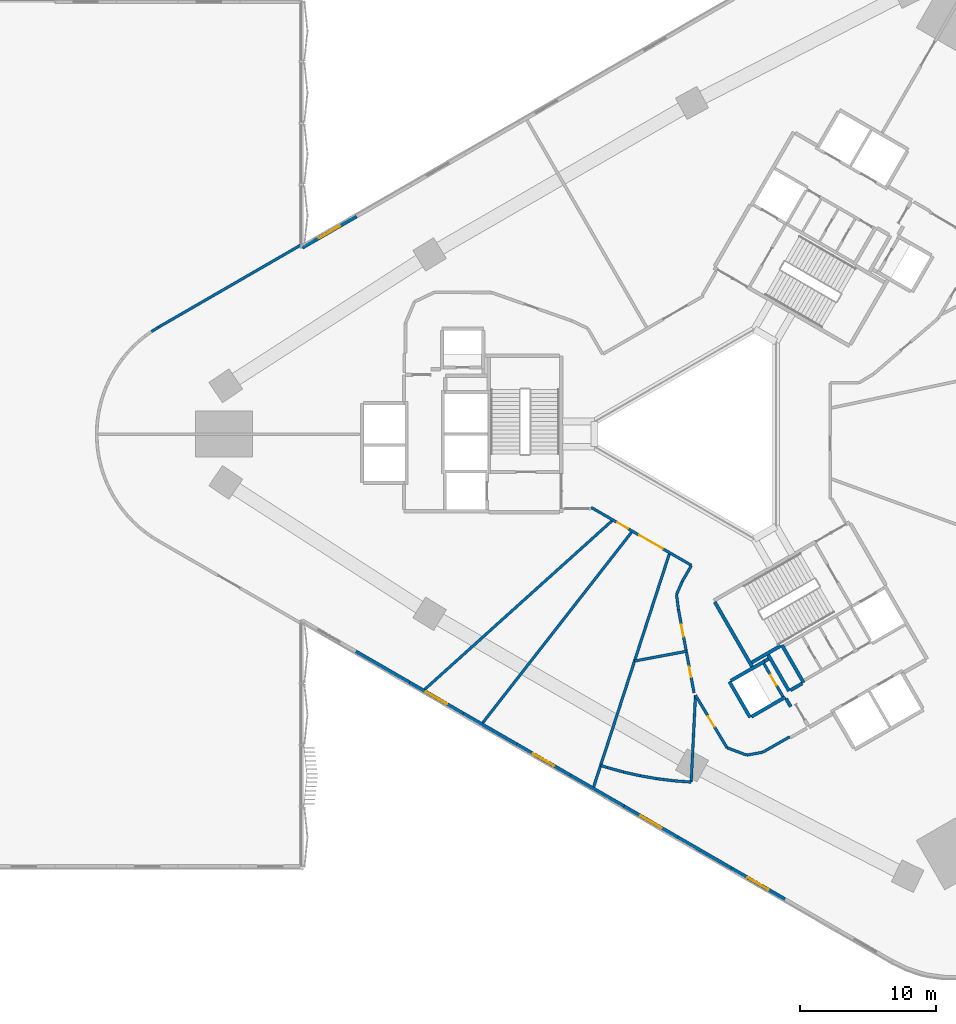
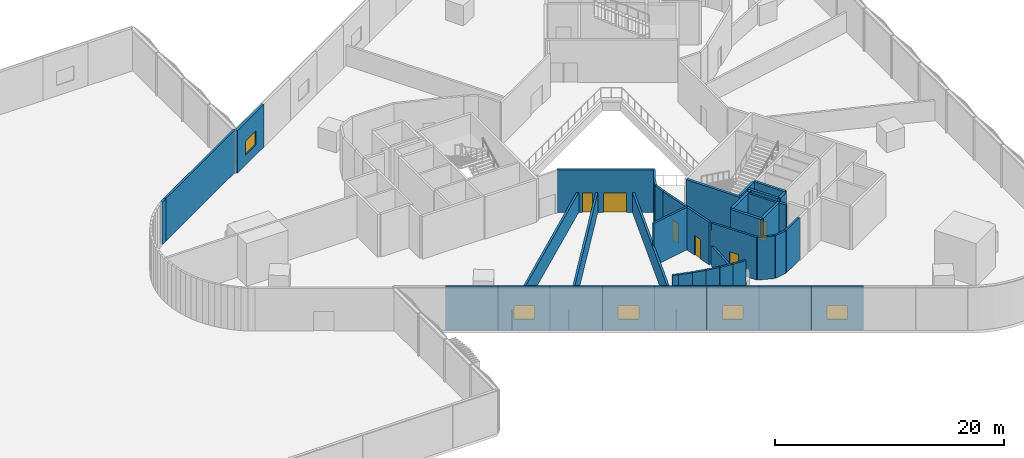
# One storey, part 12 of 24: 42 walls, 6 doors, 5 windows, 11 openings.
"""IFC4 building model written with IfcOpenShell, lengths in metres."""

from ifc_helpers import new_model, si_unit, direction, frame, frame_2d, origin, place, context, subcontext, project, spatial, rectangle, extrude, material, layer, layer_set, type_object, element, fill, save


model = new_model("IFC4")

# Units and contexts
model_context = context("Model", 3, precision=1e-05, world=origin(), true_north=direction((0.0, 1.0)))
body_context = subcontext(model_context, "Body", "Model", "MODEL_VIEW")
ifc_project = project(units=[si_unit("LENGTHUNIT", "METRE"), si_unit("AREAUNIT", "SQUARE_METRE"), si_unit("VOLUMEUNIT", "CUBIC_METRE"), si_unit("PLANEANGLEUNIT", "RADIAN"), si_unit("MASSUNIT", "GRAM", prefix="KILO")], contexts=[model_context])

# Site, building, storey
site_placement = place(None, origin())
site = spatial("IfcSite", under=ifc_project, at=site_placement, CompositionType="ELEMENT")
building_placement = place(site_placement, origin())
building = spatial("IfcBuilding", under=site, at=building_placement, Name="Tamra Quay Hotel Tower", CompositionType="ELEMENT")
storey_placement = place(building_placement, frame((0.0, 0.0, 19.5)))
storey = spatial("IfcBuildingStorey", under=building, at=storey_placement, Name="L03", CompositionType="ELEMENT", Elevation=19.5)

# Wall, opening, door
ifc_material_1 = material(Name="Concrete M70", Category="concrete")
ifc_layer_1 = layer(ifc_material_1, 0.199951171875)
ifc_layer_set_1 = layer_set([ifc_layer_1], Name="Concrete M70 core wall 200")
wall_type_1 = type_object("IfcWallType", Name="Concrete M70 core wall 200", PredefinedType="SHEAR", material=ifc_layer_set_1)
wall_1_placement = place(storey_placement, frame((5.50341796875, -19.352294921875, 0.0), z_axis=(0.0, 0.0, 1.0), x_axis=(-0.499986818241, 0.866033014143, 0.0)))
wall_1 = element("IfcWall", 1, at=wall_1_placement, inside=storey, type_object=wall_type_1, Name="CW2", PredefinedType="SHEAR", context=body_context, shape_type="SweptSolid", body=[
    extrude(rectangle(XDim=2.7978515625, YDim=0.199951171875, at=frame_2d((1.39892578125, 0.0))), origin(), (0.0, 0.0, 1.0), 4.550048828125),
])
opening_1_placement = place(wall_1_placement, frame((0.948974609375, 0.0, 0.0)))
opening_1 = element("IfcOpeningElement", 2, at=opening_1_placement, cuts=wall_1, Name="Opening D1", PredefinedType="OPENING", context=body_context, shape_type="SweptSolid", body=[
    extrude(rectangle(XDim=0.89990234375, YDim=2.10009765625, at=frame_2d((0.449951171875, 1.050048828125))), frame((0.0, 0.10986328125, 0.0), z_axis=(0.0, -1.0, 0.0), x_axis=(1.0, 0.0, 0.0)), (0.0, 0.0, 1.0), 0.219970703125),
])
ifc_material_2 = material(Name="Core door D1 900x2100 RH")
door_type_1 = type_object("IfcDoorType", Name="Core door D1 900x2100 RH", OperationType="NOTDEFINED", PredefinedType="DOOR", material=ifc_material_2)
door_1_placement = place(opening_1_placement, origin())
door_1 = element("IfcDoor", 3, at=door_1_placement, inside=storey, type_object=door_type_1, Name="D1", OperationType="SINGLE_SWING_RIGHT", OverallHeight=2.10009765625, OverallWidth=0.89990234375, PredefinedType="DOOR", context=body_context, shape_type="SweptSolid", body=[
    extrude(rectangle(XDim=0.89990234375, YDim=2.10009765625, at=frame_2d((0.449951171875, 1.050048828125))), frame((0.0, 0.02490234375, 0.0), z_axis=(0.0, -1.0, 0.0), x_axis=(1.0, 0.0, 0.0)), (0.0, 0.0, 1.0), 0.050048828125),
])
fill(opening_1, door_1)

# Walls
ifc_layer_2 = layer(ifc_material_1, 0.25)
ifc_layer_set_2 = layer_set([ifc_layer_2], Name="Concrete M70 core wall 250")
wall_type_2 = type_object("IfcWallType", Name="Concrete M70 core wall 250", PredefinedType="SHEAR", material=ifc_layer_set_2)
wall_2_placement = place(storey_placement, frame((3.23486328125, -17.15283203125, 0.0), z_axis=(0.0, 0.0, 1.0), x_axis=(-0.500008851346, 0.866020293397, 0.0)))
element("IfcWall", 4, at=wall_2_placement, inside=storey, type_object=wall_type_2, Name="CW1", PredefinedType="SHEAR", context=body_context, shape_type="SweptSolid", body=[
    extrude(rectangle(XDim=5.509765625, YDim=0.25, at=frame_2d((2.7548828125, 0.0))), origin(), (0.0, 0.0, 1.0), 4.550048828125),
])
wall_3_placement = place(storey_placement, frame((7.030517578125, -18.327392578125, 0.0), z_axis=(0.0, 0.0, 1.0), x_axis=(-0.499971222258, 0.866042017984, 0.0)))
element("IfcWall", 5, at=wall_3_placement, inside=storey, type_object=wall_type_2, Name="CW1", PredefinedType="SHEAR", context=body_context, shape_type="SweptSolid", body=[
    extrude(rectangle(XDim=3.199951171875, YDim=0.25, at=frame_2d((1.60009765625, 0.0))), origin(), (0.0, 0.0, 1.0), 4.550048828125),
])
wall_4_placement = place(storey_placement, frame((3.085205078125, -20.893798828125, 0.0), z_axis=(0.0, 0.0, 1.0), x_axis=(-0.499978833458, 0.866037623948, 0.0)))
element("IfcWall", 6, at=wall_4_placement, inside=storey, type_object=wall_type_2, Name="CW1", PredefinedType="SHEAR", context=body_context, shape_type="SweptSolid", body=[
    extrude(rectangle(XDim=3.050048828125, YDim=0.25, at=frame_2d((1.52490234375, 0.0))), origin(), (0.0, 0.0, 1.0), 4.550048828125),
])
wall_5_placement = place(storey_placement, frame((1.6689453125, -18.189697265625, 0.0), z_axis=(0.0, 0.0, 1.0), x_axis=(0.866042235819, 0.499970844928, 0.0)))
element("IfcWall", 7, at=wall_5_placement, inside=storey, type_object=wall_type_2, Name="CW1", PredefinedType="SHEAR", context=body_context, shape_type="SweptSolid", body=[
    extrude(rectangle(XDim=2.864501953125, YDim=0.25, at=frame_2d((1.43212890625, 0.0))), origin(), (0.0, 0.0, 1.0), 4.550048828125),
])
wall_6_placement = place(storey_placement, frame((5.6748046875, -19.39892578125, 0.0), z_axis=(0.0, 0.0, 1.0), x_axis=(-0.866026637627, -0.499997862916, 0.0)))
element("IfcWall", 8, at=wall_6_placement, inside=storey, type_object=wall_type_2, Name="CW1", PredefinedType="SHEAR", context=body_context, shape_type="SweptSolid", body=[
    extrude(rectangle(XDim=2.86474609375, YDim=0.25, at=frame_2d((1.432373046875, 0.0))), origin(), (0.0, 0.0, 1.0), 4.550048828125),
])
wall_7_placement = place(storey_placement, frame((4.414306640625, -16.275634765625, 0.0), z_axis=(0.0, 0.0, 1.0), x_axis=(0.500003324108, -0.866023484601, 0.0)))
element("IfcWall", 9, at=wall_7_placement, inside=storey, type_object=wall_type_2, Name="CW1", PredefinedType="SHEAR", context=body_context, shape_type="SweptSolid", body=[
    extrude(rectangle(XDim=3.0849609375, YDim=0.25, at=frame_2d((1.54248046875, 0.0))), origin(), (0.0, 0.0, 1.0), 4.550048828125),
])
wall_8_placement = place(storey_placement, frame((5.322021484375, -15.618896484375, 0.0), z_axis=(0.0, 0.0, 1.0), x_axis=(-0.866026229868, -0.499998569178, 0.0)))
element("IfcWall", 10, at=wall_8_placement, inside=storey, type_object=wall_type_2, Name="CW1", PredefinedType="SHEAR", context=body_context, shape_type="SweptSolid", body=[
    extrude(rectangle(XDim=2.44921875, YDim=0.25, at=frame_2d((1.224609375, 0.0))), origin(), (0.0, 0.0, 1.0), 4.550048828125),
])
wall_9_placement = place(storey_placement, frame((6.0654296875, -18.884765625, 0.0), z_axis=(0.0, 0.0, 1.0), x_axis=(0.866017078145, 0.500014420154, 0.0)))
element("IfcWall", 11, at=wall_9_placement, inside=storey, type_object=wall_type_2, Name="CW1", PredefinedType="SHEAR", context=body_context, shape_type="SweptSolid", body=[
    extrude(rectangle(XDim=0.9892578125, YDim=0.25, at=frame_2d((0.49462890625, 0.0))), origin(), (0.0, 0.0, 1.0), 4.550048828125),
])
wall_10_placement = place(storey_placement, frame((6.07958984375, -20.100341796875, 0.0), z_axis=(0.0, 0.0, 1.0), x_axis=(-0.500051773299, 0.865995510393, 0.0)))
element("IfcWall", 12, at=wall_10_placement, inside=storey, type_object=wall_type_2, Name="CW1", PredefinedType="SHEAR", context=body_context, shape_type="SweptSolid", body=[
    extrude(rectangle(XDim=0.6845703125, YDim=0.25, at=frame_2d((0.34228515625, 0.0))), origin(), (0.0, 0.0, 1.0), 4.550048828125),
])
wall_11_placement = place(storey_placement, frame((4.144775390625, -16.748779296875, 0.0), z_axis=(0.0, 0.0, 1.0), x_axis=(0.866185586049, 0.49972245349, 0.0)))
element("IfcWall", 13, at=wall_11_placement, inside=storey, type_object=wall_type_2, Name="CW1", PredefinedType="SHEAR", context=body_context, shape_type="SweptSolid", body=[
    extrude(rectangle(XDim=0.344482421875, YDim=0.25, at=frame_2d((0.17236328125, 0.0))), origin(), (0.0, 0.0, 1.0), 4.550048828125),
])
ifc_material_3 = material(Name="Blockwork masonry plastered", Category="masonry")
ifc_layer_3 = layer(ifc_material_3, 0.25)
ifc_layer_set_3 = layer_set([ifc_layer_3], Name="EXTERNAL WALL 250")
wall_type_3 = type_object("IfcWallType", Name="EXTERNAL WALL 250", PredefinedType="SOLIDWALL", material=ifc_layer_set_3)
wall_12_placement = place(storey_placement, frame((-22.0283203125, -18.314453125, 0.0), z_axis=(0.0, 0.0, 1.0), x_axis=(-0.866023543838, 0.500003221507, 0.0)))
element("IfcWall", 14, at=wall_12_placement, inside=storey, type_object=wall_type_3, Name="EW1", PredefinedType="SOLIDWALL", context=body_context, shape_type="SweptSolid", body=[
    extrude(rectangle(XDim=4.56640625, YDim=0.25, at=frame_2d((2.283203125, 0.0))), origin(), (0.0, 0.0, 1.0), 4.550048828125),
])

# Wall, opening, window
wall_13_placement = place(storey_placement, frame((-18.073974609375, -20.59765625, 0.0), z_axis=(0.0, 0.0, 1.0), x_axis=(-0.866010176527, 0.500026373457, 0.0)))
wall_13 = element("IfcWall", 15, at=wall_13_placement, inside=storey, type_object=wall_type_3, Name="EW1", PredefinedType="SOLIDWALL", context=body_context, shape_type="SweptSolid", body=[
    extrude(rectangle(XDim=4.566162109375, YDim=0.25, at=frame_2d((2.283203125, 0.0))), origin(), (0.0, 0.0, 1.0), 4.550048828125),
])
opening_2_placement = place(wall_13_placement, frame((1.383056640625, 0.0, 1.10009765625)))
opening_2 = element("IfcOpeningElement", 16, at=opening_2_placement, cuts=wall_13, Name="Opening PW2", PredefinedType="OPENING", context=body_context, shape_type="SweptSolid", body=[
    extrude(rectangle(XDim=1.800048828125, YDim=1.5, at=frame_2d((0.89990234375, 0.75))), frame((0.0, 0.135009765625, 0.0), z_axis=(0.0, -1.0, 0.0), x_axis=(1.0, 0.0, 0.0)), (0.0, 0.0, 1.0), 0.27001953125),
])
ifc_material_4 = material(Name="Aluminium window with clear glass", Category="aluminium")
window_type = type_object("IfcWindowType", Name="PODIUM WINDOW 1800X1500", PartitioningType="DOUBLE_PANEL_VERTICAL", PredefinedType="WINDOW", material=ifc_material_4)
window_1_placement = place(opening_2_placement, origin())
window_1 = element("IfcWindow", 17, at=window_1_placement, inside=storey, type_object=window_type, Name="PW2", OverallHeight=1.5, OverallWidth=1.800048828125, PartitioningType="SINGLE_PANEL", PredefinedType="WINDOW", context=body_context, shape_type="SweptSolid", body=[
    extrude(rectangle(XDim=1.800048828125, YDim=1.5, at=frame_2d((0.89990234375, 0.75))), frame((0.0, 0.030029296875, 0.0), z_axis=(0.0, -1.0, 0.0), x_axis=(1.0, 0.0, 0.0)), (0.0, 0.0, 1.0), 0.06005859375),
])
fill(opening_2, window_1)

# Wall
wall_14_placement = place(storey_placement, frame((-14.119384765625, -22.880859375, 0.0), z_axis=(0.0, 0.0, 1.0), x_axis=(-0.866023543838, 0.500003221507, 0.0)))
element("IfcWall", 18, at=wall_14_placement, inside=storey, type_object=wall_type_3, Name="EW1", PredefinedType="SOLIDWALL", context=body_context, shape_type="SweptSolid", body=[
    extrude(rectangle(XDim=4.56640625, YDim=0.25, at=frame_2d((2.283203125, 0.0))), origin(), (0.0, 0.0, 1.0), 4.550048828125),
])

# Wall, opening, window
wall_15_placement = place(storey_placement, frame((-10.164794921875, -25.1640625, 0.0), z_axis=(0.0, 0.0, 1.0), x_axis=(-0.866023543838, 0.500003221507, 0.0)))
wall_15 = element("IfcWall", 19, at=wall_15_placement, inside=storey, type_object=wall_type_3, Name="EW1", PredefinedType="SOLIDWALL", context=body_context, shape_type="SweptSolid", body=[
    extrude(rectangle(XDim=4.56640625, YDim=0.25, at=frame_2d((2.283203125, 0.0))), origin(), (0.0, 0.0, 1.0), 4.550048828125),
])
opening_3_placement = place(wall_15_placement, frame((1.383056640625, 0.0, 1.10009765625)))
opening_3 = element("IfcOpeningElement", 20, at=opening_3_placement, cuts=wall_15, Name="Opening PW2", PredefinedType="OPENING", context=body_context, shape_type="SweptSolid", body=[
    extrude(rectangle(XDim=1.800048828125, YDim=1.5, at=frame_2d((0.89990234375, 0.75))), frame((0.0, 0.135009765625, 0.0), z_axis=(0.0, -1.0, 0.0), x_axis=(1.0, 0.0, 0.0)), (0.0, 0.0, 1.0), 0.27001953125),
])
window_2_placement = place(opening_3_placement, origin())
window_2 = element("IfcWindow", 21, at=window_2_placement, inside=storey, type_object=window_type, Name="PW2", OverallHeight=1.5, OverallWidth=1.800048828125, PartitioningType="SINGLE_PANEL", PredefinedType="WINDOW", context=body_context, shape_type="SweptSolid", body=[
    extrude(rectangle(XDim=1.800048828125, YDim=1.5, at=frame_2d((0.89990234375, 0.75))), frame((0.0, 0.030029296875, 0.0), z_axis=(0.0, -1.0, 0.0), x_axis=(1.0, 0.0, 0.0)), (0.0, 0.0, 1.0), 0.06005859375),
])
fill(opening_3, window_2)

# Wall
wall_16_placement = place(storey_placement, frame((-6.210205078125, -27.447021484375, 0.0), z_axis=(0.0, 0.0, 1.0), x_axis=(-0.866046694585, 0.499963121439, 0.0)))
element("IfcWall", 22, at=wall_16_placement, inside=storey, type_object=wall_type_3, Name="EW1", PredefinedType="SOLIDWALL", context=body_context, shape_type="SweptSolid", body=[
    extrude(rectangle(XDim=4.566162109375, YDim=0.25, at=frame_2d((2.283203125, 0.0))), origin(), (0.0, 0.0, 1.0), 4.550048828125),
])

# Wall, opening, window
wall_17_placement = place(storey_placement, frame((-2.255615234375, -29.730224609375, 0.0), z_axis=(0.0, 0.0, 1.0), x_axis=(-0.866023543838, 0.500003221507, 0.0)))
wall_17 = element("IfcWall", 23, at=wall_17_placement, inside=storey, type_object=wall_type_3, Name="EW1", PredefinedType="SOLIDWALL", context=body_context, shape_type="SweptSolid", body=[
    extrude(rectangle(XDim=4.56640625, YDim=0.25, at=frame_2d((2.283203125, 0.0))), origin(), (0.0, 0.0, 1.0), 4.550048828125),
])
opening_4_placement = place(wall_17_placement, frame((1.383056640625, 0.0, 1.10009765625)))
opening_4 = element("IfcOpeningElement", 24, at=opening_4_placement, cuts=wall_17, Name="Opening PW2", PredefinedType="OPENING", context=body_context, shape_type="SweptSolid", body=[
    extrude(rectangle(XDim=1.800048828125, YDim=1.5, at=frame_2d((0.89990234375, 0.75))), frame((0.0, 0.135009765625, 0.0), z_axis=(0.0, -1.0, 0.0), x_axis=(1.0, 0.0, 0.0)), (0.0, 0.0, 1.0), 0.27001953125),
])
window_3_placement = place(opening_4_placement, origin())
window_3 = element("IfcWindow", 25, at=window_3_placement, inside=storey, type_object=window_type, Name="PW2", OverallHeight=1.5, OverallWidth=1.800048828125, PartitioningType="SINGLE_PANEL", PredefinedType="WINDOW", context=body_context, shape_type="SweptSolid", body=[
    extrude(rectangle(XDim=1.800048828125, YDim=1.5, at=frame_2d((0.89990234375, 0.75))), frame((0.0, 0.030029296875, 0.0), z_axis=(0.0, -1.0, 0.0), x_axis=(1.0, 0.0, 0.0)), (0.0, 0.0, 1.0), 0.06005859375),
])
fill(opening_4, window_3)

# Wall
wall_18_placement = place(storey_placement, frame((1.698974609375, -32.013427734375, 0.0), z_axis=(0.0, 0.0, 1.0), x_axis=(-0.866023543838, 0.500003221507, 0.0)))
element("IfcWall", 26, at=wall_18_placement, inside=storey, type_object=wall_type_3, Name="EW1", PredefinedType="SOLIDWALL", context=body_context, shape_type="SweptSolid", body=[
    extrude(rectangle(XDim=4.56640625, YDim=0.25, at=frame_2d((2.283203125, 0.0))), origin(), (0.0, 0.0, 1.0), 4.550048828125),
])

# Wall, opening, window
wall_19_placement = place(storey_placement, frame((5.6533203125, -34.296630859375, 0.0), z_axis=(0.0, 0.0, 1.0), x_axis=(-0.866010176527, 0.500026373457, 0.0)))
wall_19 = element("IfcWall", 27, at=wall_19_placement, inside=storey, type_object=wall_type_3, Name="EW1", PredefinedType="SOLIDWALL", context=body_context, shape_type="SweptSolid", body=[
    extrude(rectangle(XDim=4.566162109375, YDim=0.25, at=frame_2d((2.283203125, 0.0))), origin(), (0.0, 0.0, 1.0), 4.550048828125),
])
opening_5_placement = place(wall_19_placement, frame((1.383056640625, 0.0, 1.10009765625)))
opening_5 = element("IfcOpeningElement", 28, at=opening_5_placement, cuts=wall_19, Name="Opening PW2", PredefinedType="OPENING", context=body_context, shape_type="SweptSolid", body=[
    extrude(rectangle(XDim=1.800048828125, YDim=1.5, at=frame_2d((0.89990234375, 0.75))), frame((0.0, 0.135009765625, 0.0), z_axis=(0.0, -1.0, 0.0), x_axis=(1.0, 0.0, 0.0)), (0.0, 0.0, 1.0), 0.27001953125),
])
window_4_placement = place(opening_5_placement, origin())
window_4 = element("IfcWindow", 29, at=window_4_placement, inside=storey, type_object=window_type, Name="PW2", OverallHeight=1.5, OverallWidth=1.800048828125, PartitioningType="SINGLE_PANEL", PredefinedType="WINDOW", context=body_context, shape_type="SweptSolid", body=[
    extrude(rectangle(XDim=1.800048828125, YDim=1.5, at=frame_2d((0.89990234375, 0.75))), frame((0.0, 0.030029296875, 0.0), z_axis=(0.0, -1.0, 0.0), x_axis=(1.0, 0.0, 0.0)), (0.0, 0.0, 1.0), 0.06005859375),
])
fill(opening_5, window_4)

wall_20_placement = place(storey_placement, frame((-29.9375, 13.748046875, 0.0), z_axis=(0.0, 0.0, 1.0), x_axis=(0.866193503994, 0.4997087288, 0.0)))
wall_20 = element("IfcWall", 30, at=wall_20_placement, inside=storey, type_object=wall_type_3, Name="EW1", PredefinedType="SOLIDWALL", context=body_context, shape_type="SweptSolid", body=[
    extrude(rectangle(XDim=4.619873046875, YDim=0.25, at=frame_2d((2.31005859375, 0.0))), origin(), (0.0, 0.0, 1.0), 4.550048828125),
])
opening_6_placement = place(wall_20_placement, frame((1.409912109375, 0.0, 1.10009765625)))
opening_6 = element("IfcOpeningElement", 31, at=opening_6_placement, cuts=wall_20, Name="Opening PW2", PredefinedType="OPENING", context=body_context, shape_type="SweptSolid", body=[
    extrude(rectangle(XDim=1.800048828125, YDim=1.5, at=frame_2d((0.89990234375, 0.75))), frame((0.0, 0.135009765625, 0.0), z_axis=(0.0, -1.0, 0.0), x_axis=(1.0, 0.0, 0.0)), (0.0, 0.0, 1.0), 0.27001953125),
])
window_5_placement = place(opening_6_placement, origin())
window_5 = element("IfcWindow", 32, at=window_5_placement, inside=storey, type_object=window_type, Name="PW2", OverallHeight=1.5, OverallWidth=1.800048828125, PartitioningType="SINGLE_PANEL", PredefinedType="WINDOW", context=body_context, shape_type="SweptSolid", body=[
    extrude(rectangle(XDim=1.800048828125, YDim=1.5, at=frame_2d((0.89990234375, 0.75))), frame((0.0, 0.030029296875, 0.0), z_axis=(0.0, -1.0, 0.0), x_axis=(1.0, 0.0, 0.0)), (0.0, 0.0, 1.0), 0.06005859375),
])
fill(opening_6, window_5)

# Wall, openings, doors
ifc_material_5 = material(Name="Partition corridor wall")
ifc_layer_4 = layer(ifc_material_5, 0.199951171875)
ifc_layer_set_4 = layer_set([ifc_layer_4], Name="Partition corridor wall")
wall_type_4 = type_object("IfcWallType", Name="Partition corridor wall", PredefinedType="PARTITIONING", material=ifc_layer_set_4)
wall_21_placement = place(storey_placement, frame((-8.635986328125, -5.406982421875, 0.0), z_axis=(0.0, 0.0, 1.0), x_axis=(0.86608314541, -0.499899975231, 0.0)))
wall_21 = element("IfcWall", 33, at=wall_21_placement, inside=storey, type_object=wall_type_4, Name="W-C", PredefinedType="PARTITIONING", context=body_context, shape_type="SweptSolid", body=[
    extrude(rectangle(XDim=8.531982421875, YDim=0.199951171875, at=frame_2d((4.26611328125, 0.0))), origin(), (0.0, 0.0, 1.0), 4.550048828125),
])
opening_7_placement = place(wall_21_placement, frame((2.231201171875, 0.0, 0.0)))
opening_7 = element("IfcOpeningElement", 34, at=opening_7_placement, cuts=wall_21, Name="Opening L03-D006", PredefinedType="OPENING", context=body_context, shape_type="SweptSolid", body=[
    extrude(rectangle(XDim=0.89990234375, YDim=2.10009765625, at=frame_2d((0.449951171875, 1.050048828125))), frame((0.0, 0.10986328125, 0.0), z_axis=(0.0, -1.0, 0.0), x_axis=(1.0, 0.0, 0.0)), (0.0, 0.0, 1.0), 0.219970703125),
])
opening_8_placement = place(wall_21_placement, frame((4.1005859375, 0.0, 0.0)))
opening_8 = element("IfcOpeningElement", 35, at=opening_8_placement, cuts=wall_21, Name="Opening L03-D007", PredefinedType="OPENING", context=body_context, shape_type="SweptSolid", body=[
    extrude(rectangle(XDim=2.0, YDim=2.10009765625, at=frame_2d((1.0, 1.050048828125))), frame((0.0, 0.10986328125, 0.0), z_axis=(0.0, -1.0, 0.0), x_axis=(1.0, 0.0, 0.0)), (0.0, 0.0, 1.0), 0.219970703125),
])
ifc_material_6 = material(Name="Door double leaf 2000x2100")
door_type_2 = type_object("IfcDoorType", Name="Door double leaf 2000x2100", OperationType="DOUBLE_DOOR_SINGLE_SWING", PredefinedType="DOOR", material=ifc_material_6)
door_2_placement = place(opening_8_placement, frame((2.0, 0.0, 0.0), z_axis=(0.0, 0.0, 1.0), x_axis=(-1.0, 0.0, 0.0)))
door_2 = element("IfcDoor", 36, at=door_2_placement, inside=storey, type_object=door_type_2, Name="L03-D007", OperationType="DOUBLE_DOOR_SINGLE_SWING", OverallHeight=2.10009765625, OverallWidth=2.0, PredefinedType="DOOR", context=body_context, shape_type="SweptSolid", body=[
    extrude(rectangle(XDim=2.0, YDim=2.10009765625, at=frame_2d((1.0, 1.050048828125))), frame((0.0, 0.02490234375, 0.0), z_axis=(0.0, -1.0, 0.0), x_axis=(1.0, 0.0, 0.0)), (0.0, 0.0, 1.0), 0.050048828125),
])
fill(opening_8, door_2)
ifc_material_7 = material(Name="Door service room 900x2100")
door_type_3 = type_object("IfcDoorType", Name="Door service room 900x2100", OperationType="NOTDEFINED", PredefinedType="DOOR", material=ifc_material_7)
door_3_placement = place(opening_7_placement, frame((0.89990234375, 0.0, 0.0), z_axis=(0.0, 0.0, 1.0), x_axis=(-1.0, 0.0, 0.0)))
door_3 = element("IfcDoor", 37, at=door_3_placement, inside=storey, type_object=door_type_3, Name="L03-D006", OperationType="SINGLE_SWING_LEFT", OverallHeight=2.10009765625, OverallWidth=0.89990234375, PredefinedType="DOOR", context=body_context, shape_type="SweptSolid", body=[
    extrude(rectangle(XDim=0.89990234375, YDim=2.10009765625, at=frame_2d((0.449951171875, 1.050048828125))), frame((0.0, 0.02490234375, 0.0), z_axis=(0.0, -1.0, 0.0), x_axis=(1.0, 0.0, 0.0)), (0.0, 0.0, 1.0), 0.050048828125),
])
fill(opening_7, door_3)

# Walls
wall_22_placement = place(storey_placement, frame((-2.342041015625, -11.8349609375, 0.0), z_axis=(0.0, 0.0, 1.0), x_axis=(0.130834272089, -0.991404253192, 0.0)))
element("IfcWall", 38, at=wall_22_placement, inside=storey, type_object=wall_type_4, Name="W-C", PredefinedType="PARTITIONING", context=body_context, shape_type="SweptSolid", body=[
    extrude(rectangle(XDim=1.130859375, YDim=0.199951171875, at=frame_2d((0.5654296875, 0.0))), origin(), (0.0, 0.0, 1.0), 4.550048828125),
])
wall_23_placement = place(storey_placement, frame((-2.341064453125, -11.826904296875, 0.0), z_axis=(0.0, 0.0, 1.0), x_axis=(0.400116595296, 0.916464243803, 0.0)))
element("IfcWall", 39, at=wall_23_placement, inside=storey, type_object=wall_type_4, Name="W-C", PredefinedType="PARTITIONING", context=body_context, shape_type="SweptSolid", body=[
    extrude(rectangle(XDim=1.039794921875, YDim=0.199951171875, at=frame_2d((0.52001953125, 0.0))), origin(), (0.0, 0.0, 1.0), 4.550048828125),
])

# Wall, openings, doors
wall_24_placement = place(storey_placement, frame((-2.193359375, -12.955810546875, 0.0), z_axis=(0.0, 0.0, 1.0), x_axis=(0.183666249042, -0.982988661665, 0.0)))
wall_24 = element("IfcWall", 40, at=wall_24_placement, inside=storey, type_object=wall_type_4, Name="W-C", PredefinedType="PARTITIONING", context=body_context, shape_type="SweptSolid", body=[
    extrude(rectangle(XDim=6.230224609375, YDim=0.199951171875, at=frame_2d((3.115234375, 0.0))), origin(), (0.0, 0.0, 1.0), 4.550048828125),
])
opening_9_placement = place(wall_24_placement, frame((4.267578125, 0.0, 0.0)))
opening_9 = element("IfcOpeningElement", 41, at=opening_9_placement, cuts=wall_24, Name="Opening L03-D008", PredefinedType="OPENING", context=body_context, shape_type="SweptSolid", body=[
    extrude(rectangle(XDim=0.800048828125, YDim=2.10009765625, at=frame_2d((0.39990234375, 1.050048828125))), frame((0.0, 0.10986328125, 0.0), z_axis=(0.0, -1.0, 0.0), x_axis=(1.0, 0.0, 0.0)), (0.0, 0.0, 1.0), 0.219970703125),
])
opening_10_placement = place(wall_24_placement, frame((1.114013671875, 0.0, 0.0)))
opening_10 = element("IfcOpeningElement", 42, at=opening_10_placement, cuts=wall_24, Name="Opening L03-D014", PredefinedType="OPENING", context=body_context, shape_type="SweptSolid", body=[
    extrude(rectangle(XDim=0.89990234375, YDim=2.10009765625, at=frame_2d((0.449951171875, 1.050048828125))), frame((0.0, 0.10986328125, 0.0), z_axis=(0.0, -1.0, 0.0), x_axis=(1.0, 0.0, 0.0)), (0.0, 0.0, 1.0), 0.219970703125),
])
ifc_material_8 = material(Name="Door service room 800x2100")
door_type_4 = type_object("IfcDoorType", Name="Door service room 800x2100", OperationType="NOTDEFINED", PredefinedType="DOOR", material=ifc_material_8)
door_4_placement = place(opening_9_placement, frame((0.800048828125, 0.0, 0.0), z_axis=(0.0, 0.0, 1.0), x_axis=(-1.0, 0.0, 0.0)))
door_4 = element("IfcDoor", 43, at=door_4_placement, inside=storey, type_object=door_type_4, Name="L03-D008", OperationType="SINGLE_SWING_LEFT", OverallHeight=2.10009765625, OverallWidth=0.800048828125, PredefinedType="DOOR", context=body_context, shape_type="SweptSolid", body=[
    extrude(rectangle(XDim=0.800048828125, YDim=2.10009765625, at=frame_2d((0.39990234375, 1.050048828125))), frame((0.0, 0.02490234375, 0.0), z_axis=(0.0, -1.0, 0.0), x_axis=(1.0, 0.0, 0.0)), (0.0, 0.0, 1.0), 0.050048828125),
])
fill(opening_9, door_4)
door_5_placement = place(opening_10_placement, frame((0.89990234375, 0.0, 0.0), z_axis=(0.0, 0.0, 1.0), x_axis=(-1.0, 0.0, 0.0)))
door_5 = element("IfcDoor", 44, at=door_5_placement, inside=storey, type_object=door_type_3, Name="L03-D014", OperationType="SINGLE_SWING_LEFT", OverallHeight=2.10009765625, OverallWidth=0.89990234375, PredefinedType="DOOR", context=body_context, shape_type="SweptSolid", body=[
    extrude(rectangle(XDim=0.89990234375, YDim=2.10009765625, at=frame_2d((0.449951171875, 1.050048828125))), frame((0.0, 0.02490234375, 0.0), z_axis=(0.0, -1.0, 0.0), x_axis=(1.0, 0.0, 0.0)), (0.0, 0.0, 1.0), 0.050048828125),
])
fill(opening_10, door_5)

# Wall
wall_25_placement = place(storey_placement, frame((-1.924072265625, -10.868896484375, 0.0), z_axis=(0.0, 0.0, 1.0), x_axis=(0.499136241111, 0.866523521209, 0.0)))
element("IfcWall", 45, at=wall_25_placement, inside=storey, type_object=wall_type_4, Name="W-C", PredefinedType="PARTITIONING", context=body_context, shape_type="SweptSolid", body=[
    extrude(rectangle(XDim=1.3583984375, YDim=0.199951171875, at=frame_2d((0.67919921875, 0.0))), origin(), (0.0, 0.0, 1.0), 4.550048828125),
])

# Wall, opening, door
wall_26_placement = place(storey_placement, frame((-0.946044921875, -19.25390625, 0.0), z_axis=(0.0, 0.0, 1.0), x_axis=(0.515131406019, -0.857111214798, 0.0)))
wall_26 = element("IfcWall", 46, at=wall_26_placement, inside=storey, type_object=wall_type_4, Name="W-C", PredefinedType="PARTITIONING", context=body_context, shape_type="SweptSolid", body=[
    extrude(rectangle(XDim=4.517578125, YDim=0.199951171875, at=frame_2d((2.2587890625, 0.0))), origin(), (0.0, 0.0, 1.0), 4.550048828125),
])
opening_11_placement = place(wall_26_placement, frame((1.80859375, 0.0, 0.0)))
opening_11 = element("IfcOpeningElement", 47, at=opening_11_placement, cuts=wall_26, Name="Opening L03-D009", PredefinedType="OPENING", context=body_context, shape_type="SweptSolid", body=[
    extrude(rectangle(XDim=0.89990234375, YDim=2.10009765625, at=frame_2d((0.449951171875, 1.050048828125))), frame((0.0, 0.10986328125, 0.0), z_axis=(0.0, -1.0, 0.0), x_axis=(1.0, 0.0, 0.0)), (0.0, 0.0, 1.0), 0.219970703125),
])
door_6_placement = place(opening_11_placement, origin())
door_6 = element("IfcDoor", 48, at=door_6_placement, inside=storey, type_object=door_type_3, Name="L03-D009", OperationType="SINGLE_SWING_LEFT", OverallHeight=2.10009765625, OverallWidth=0.89990234375, PredefinedType="DOOR", context=body_context, shape_type="SweptSolid", body=[
    extrude(rectangle(XDim=0.89990234375, YDim=2.10009765625, at=frame_2d((0.449951171875, 1.050048828125))), frame((0.0, 0.02490234375, 0.0), z_axis=(0.0, -1.0, 0.0), x_axis=(1.0, 0.0, 0.0)), (0.0, 0.0, 1.0), 0.050048828125),
])
fill(opening_11, door_6)

# Walls
wall_27_placement = place(storey_placement, frame((1.389892578125, -23.131103515625, 0.0), z_axis=(0.0, 0.0, 1.0), x_axis=(0.935656991295, -0.352910745997, 0.0)))
element("IfcWall", 49, at=wall_27_placement, inside=storey, type_object=wall_type_4, Name="W-C", PredefinedType="PARTITIONING", context=body_context, shape_type="SweptSolid", body=[
    extrude(rectangle(XDim=1.541259765625, YDim=0.199951171875, at=frame_2d((0.7705078125, 0.0))), origin(), (0.0, 0.0, 1.0), 4.550048828125),
])
wall_28_placement = place(storey_placement, frame((2.8369140625, -23.675048828125, 0.0), z_axis=(0.0, 0.0, 1.0), x_axis=(0.983774851332, 0.179407474447, 0.0)))
element("IfcWall", 50, at=wall_28_placement, inside=storey, type_object=wall_type_4, Name="W-C", PredefinedType="PARTITIONING", context=body_context, shape_type="SweptSolid", body=[
    extrude(rectangle(XDim=1.193359375, YDim=0.199951171875, at=frame_2d((0.5966796875, 0.0))), origin(), (0.0, 0.0, 1.0), 4.550048828125),
])
wall_29_placement = place(storey_placement, frame((4.01904296875, -23.458984375, 0.0), z_axis=(0.0, 0.0, 1.0), x_axis=(0.86785453754, 0.496818378959, 0.0)))
element("IfcWall", 51, at=wall_29_placement, inside=storey, type_object=wall_type_4, Name="W-C", PredefinedType="PARTITIONING", context=body_context, shape_type="SweptSolid", body=[
    extrude(rectangle(XDim=2.282470703125, YDim=0.199951171875, at=frame_2d((1.14111328125, 0.0))), origin(), (0.0, 0.0, 1.0), 4.550048828125),
])
ifc_material_9 = material(Name="Partition party wall")
ifc_layer_5 = layer(ifc_material_9, 0.199951171875)
ifc_layer_set_5 = layer_set([ifc_layer_5], Name="Partition party wall")
wall_type_5 = type_object("IfcWallType", Name="Partition party wall", PredefinedType="PARTITIONING", material=ifc_layer_set_5)
wall_30_placement = place(storey_placement, frame((-41.055908203125, 7.56591796875, 0.0), z_axis=(0.0, 0.0, 1.0), x_axis=(0.849195743306, 0.52807820401, 0.0)))
element("IfcWall", 52, at=wall_30_placement, inside=storey, type_object=wall_type_5, Name="W-P", PredefinedType="PARTITIONING", context=body_context, shape_type="SweptSolid", body=[
    extrude(rectangle(XDim=0.594482421875, YDim=0.199951171875, at=frame_2d((0.29736328125, 0.0))), origin(), (0.0, 0.0, 1.0), 4.550048828125),
])
wall_31_placement = place(storey_placement, frame((-40.551025390625, 7.8798828125, 0.0), z_axis=(0.0, 0.0, 1.0), x_axis=(0.866016326085, 0.500015722707, 0.0)))
element("IfcWall", 53, at=wall_31_placement, inside=storey, type_object=wall_type_5, Name="W-P", PredefinedType="PARTITIONING", context=body_context, shape_type="SweptSolid", body=[
    extrude(rectangle(XDim=12.17822265625, YDim=0.199951171875, at=frame_2d((6.089111328125, 0.0))), origin(), (0.0, 0.0, 1.0), 4.550048828125),
])
wall_32_placement = place(storey_placement, frame((-21.093505859375, -18.9931640625, 0.0), z_axis=(0.0, 0.0, 1.0), x_axis=(0.743122161884, 0.669155775972, 0.0)))
element("IfcWall", 54, at=wall_32_placement, inside=storey, type_object=wall_type_5, Name="W-P", PredefinedType="PARTITIONING", context=body_context, shape_type="SweptSolid", body=[
    extrude(rectangle(XDim=18.919677734375, YDim=0.199951171875, at=frame_2d((9.4599609375, 0.0))), origin(), (0.0, 0.0, 1.0), 2.14990234375),
])
wall_33_placement = place(storey_placement, frame((-16.782958984375, -21.4814453125, 0.0), z_axis=(0.0, 0.0, 1.0), x_axis=(0.615637784037, 0.788029262696, 0.0)))
element("IfcWall", 55, at=wall_33_placement, inside=storey, type_object=wall_type_5, Name="W-P", PredefinedType="PARTITIONING", context=body_context, shape_type="SweptSolid", body=[
    extrude(rectangle(XDim=18.169921875, YDim=0.199951171875, at=frame_2d((9.0849609375, 0.0))), origin(), (0.0, 0.0, 1.0), 2.14990234375),
])
wall_34_placement = place(storey_placement, frame((-8.527587890625, -26.247802734375, 0.0), z_axis=(0.0, 0.0, 1.0), x_axis=(0.308912004648, 0.951090623119, 0.0)))
element("IfcWall", 56, at=wall_34_placement, inside=storey, type_object=wall_type_5, Name="W-P", PredefinedType="PARTITIONING", context=body_context, shape_type="SweptSolid", body=[
    extrude(rectangle(XDim=18.394775390625, YDim=0.199951171875, at=frame_2d((9.197265625, 0.0))), origin(), (0.0, 0.0, 1.0), 2.14990234375),
])
wall_35_placement = place(storey_placement, frame((-7.93505859375, -24.427978515625, 0.0), z_axis=(0.0, 0.0, 1.0), x_axis=(0.949312985708, -0.314332395984, 0.0)))
element("IfcWall", 57, at=wall_35_placement, inside=storey, type_object=wall_type_5, Name="W-P", PredefinedType="PARTITIONING", context=body_context, shape_type="SweptSolid", body=[
    extrude(rectangle(XDim=0.50244140625, YDim=0.199951171875, at=frame_2d((0.251220703125, 0.0))), origin(), (0.0, 0.0, 1.0), 4.550048828125),
])
wall_36_placement = place(storey_placement, frame((-7.4580078125, -24.5859375, 0.0), z_axis=(0.0, 0.0, 1.0), x_axis=(0.96379206232, -0.266654946718, 0.0)))
element("IfcWall", 58, at=wall_36_placement, inside=storey, type_object=wall_type_5, Name="W-P", PredefinedType="PARTITIONING", context=body_context, shape_type="SweptSolid", body=[
    extrude(rectangle(XDim=1.2607421875, YDim=0.199951171875, at=frame_2d((0.63037109375, 0.0))), origin(), (0.0, 0.0, 1.0), 4.550048828125),
])
wall_37_placement = place(storey_placement, frame((-6.242919921875, -24.922119140625, 0.0), z_axis=(0.0, 0.0, 1.0), x_axis=(0.975793849567, -0.218692393893, 0.0)))
element("IfcWall", 59, at=wall_37_placement, inside=storey, type_object=wall_type_5, Name="W-P", PredefinedType="PARTITIONING", context=body_context, shape_type="SweptSolid", body=[
    extrude(rectangle(XDim=1.261474609375, YDim=0.199951171875, at=frame_2d((0.630859375, 0.0))), origin(), (0.0, 0.0, 1.0), 4.550048828125),
])
wall_38_placement = place(storey_placement, frame((-5.43505859375, -16.73291015625, 0.0), z_axis=(0.0, 0.0, 1.0), x_axis=(0.982959024913, 0.183824795232, 0.0)))
element("IfcWall", 60, at=wall_38_placement, inside=storey, type_object=wall_type_5, Name="W-P", PredefinedType="PARTITIONING", context=body_context, shape_type="SweptSolid", body=[
    extrude(rectangle(XDim=3.878173828125, YDim=0.199951171875, at=frame_2d((1.93896484375, 0.0))), origin(), (0.0, 0.0, 1.0), 4.550048828125),
])
wall_39_placement = place(storey_placement, frame((-5.011962890625, -25.197998046875, 0.0), z_axis=(0.0, 0.0, 1.0), x_axis=(0.985201803115, -0.171398387214, 0.0)))
element("IfcWall", 61, at=wall_39_placement, inside=storey, type_object=wall_type_5, Name="W-P", PredefinedType="PARTITIONING", context=body_context, shape_type="SweptSolid", body=[
    extrude(rectangle(XDim=1.260498046875, YDim=0.199951171875, at=frame_2d((0.63037109375, 0.0))), origin(), (0.0, 0.0, 1.0), 4.550048828125),
])
wall_40_placement = place(storey_placement, frame((-3.77001953125, -25.4140625, 0.0), z_axis=(0.0, 0.0, 1.0), x_axis=(0.992514259678, -0.122128802234, 0.0)))
element("IfcWall", 62, at=wall_40_placement, inside=storey, type_object=wall_type_5, Name="W-P", PredefinedType="PARTITIONING", context=body_context, shape_type="SweptSolid", body=[
    extrude(rectangle(XDim=1.261474609375, YDim=0.199951171875, at=frame_2d((0.630859375, 0.0))), origin(), (0.0, 0.0, 1.0), 4.550048828125),
])
wall_41_placement = place(storey_placement, frame((-2.51806640625, -25.568115234375, 0.0), z_axis=(0.0, 0.0, 1.0), x_axis=(0.997287799619, -0.073600575618, 0.0)))
element("IfcWall", 63, at=wall_41_placement, inside=storey, type_object=wall_type_5, Name="W-P", PredefinedType="PARTITIONING", context=body_context, shape_type="SweptSolid", body=[
    extrude(rectangle(XDim=1.260498046875, YDim=0.199951171875, at=frame_2d((0.63037109375, 0.0))), origin(), (0.0, 0.0, 1.0), 4.550048828125),
])
wall_42_placement = place(storey_placement, frame((-1.258056640625, -25.660888671875, 0.0), z_axis=(0.0, 0.0, 1.0), x_axis=(0.048998828987, 0.998798835981, 0.0)))
element("IfcWall", 64, at=wall_42_placement, inside=storey, type_object=wall_type_5, Name="W-P", PredefinedType="PARTITIONING", context=body_context, shape_type="SweptSolid", body=[
    extrude(rectangle(XDim=6.40771484375, YDim=0.199951171875, at=frame_2d((3.203857421875, 0.0))), origin(), (0.0, 0.0, 1.0), 2.14990234375),
])

save(model, "model.ifc")
